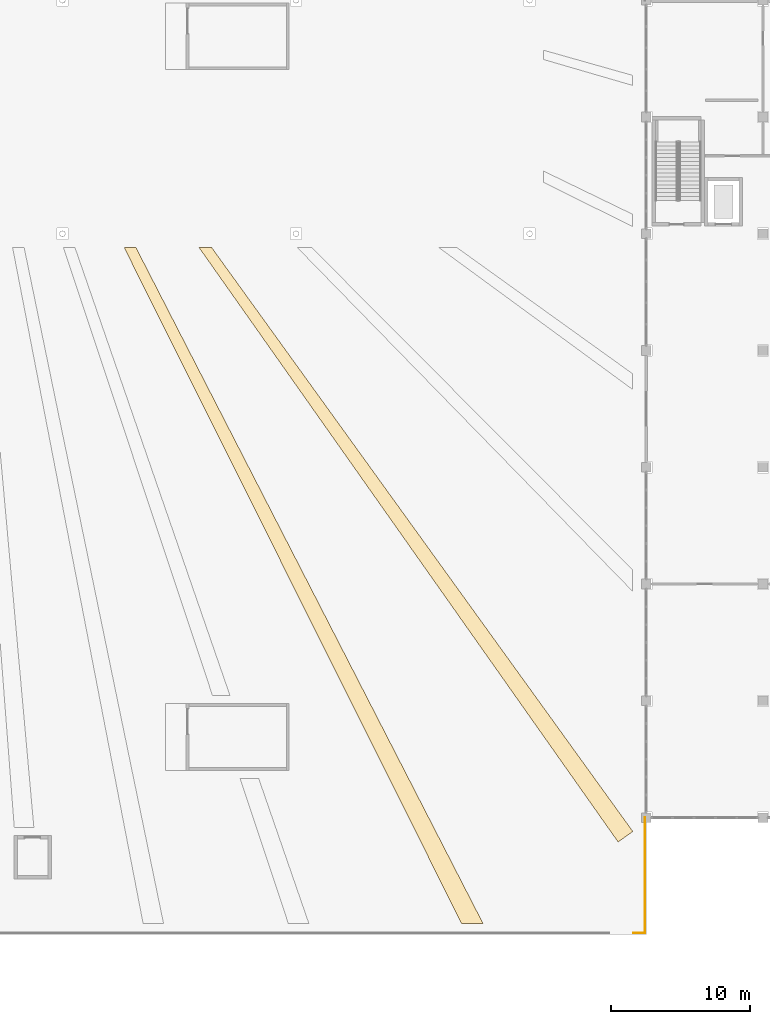
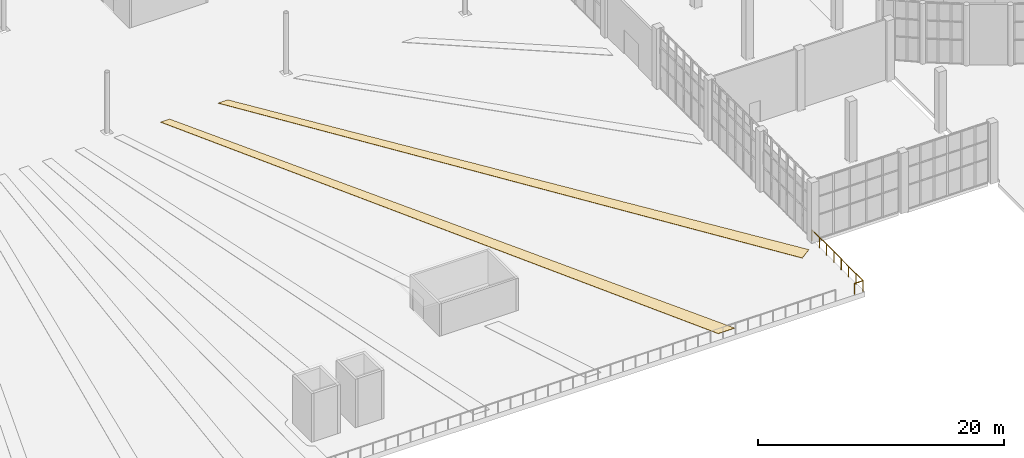
# One storey, part 179 of 210: 2 coverings, 2 railings.
"""IFC4 building model written with IfcOpenShell, lengths in metres."""

from ifc_helpers import new_model, si_unit, direction, frame, origin, origin_2d, place, context, subcontext, project, spatial, polyline, circle, outline, extrude, material, layer, layer_set, type_object, element, save


model = new_model("IFC4")

# Units and contexts
model_context = context("Model", 3, precision=1e-05, world=origin(), true_north=direction((0.0, 1.0)))
body_context = subcontext(model_context, "Body", "Model", "MODEL_VIEW")
ifc_project = project(units=[si_unit("LENGTHUNIT", "METRE"), si_unit("AREAUNIT", "SQUARE_METRE"), si_unit("VOLUMEUNIT", "CUBIC_METRE"), si_unit("PLANEANGLEUNIT", "RADIAN"), si_unit("MASSUNIT", "GRAM", prefix="KILO")], contexts=[model_context])

# Site, building, storey
site_placement = place(None, origin())
site = spatial("IfcSite", under=ifc_project, at=site_placement, CompositionType="ELEMENT")
building_placement = place(site_placement, origin())
building = spatial("IfcBuilding", under=site, at=building_placement, Name="Rain Tree Exposition and Congress Centre", CompositionType="ELEMENT")
storey_placement = place(building_placement, origin())
storey = spatial("IfcBuildingStorey", under=building, at=storey_placement, Name="L00", CompositionType="ELEMENT", Elevation=0.0)

# Coverings
ifc_material_1 = material(Name="Granite paving", Category="masonry")
ifc_layer = layer(ifc_material_1, 0.030029296875)
ifc_layer_set = layer_set([ifc_layer], Name="Granite paving")
covering_type = type_object("IfcCoveringType", Name="Granite paving inlay 30", PredefinedType="FLOORING", material=ifc_layer_set)
covering_1_placement = place(storey_placement, origin())
element("IfcCovering", 1, at=covering_1_placement, inside=storey, type_object=covering_type, Name="Granite paving inlay 17", PredefinedType="FLOORING", context=body_context, shape_type="SweptSolid", body=[
    extrude(outline(polyline([(114.490234375, 49.39990234375), (113.64306640625, 49.39990234375), (137.902099609375, 0.800048828125), (139.446533203125, 0.800048828125), (134.095947265625, 11.219970703125), (114.490234375, 49.39990234375)])), origin(), (0.0, 0.0, 1.0), 0.030029296875),
])
covering_2_placement = place(storey_placement, origin())
element("IfcCovering", 2, at=covering_2_placement, inside=storey, type_object=covering_type, Name="Granite paving inlay 18", PredefinedType="FLOORING", context=body_context, shape_type="SweptSolid", body=[
    extrude(outline(polyline([(119.939697265625, 49.39990234375), (119.030517578125, 49.39990234375), (149.17041015625, 6.64990234375), (150.228759765625, 7.40478515625), (119.939697265625, 49.39990234375)])), origin(), (0.0, 0.0, 1.0), 0.030029296875),
])

# Railings
ifc_material_2 = material(Name="Stainless steel", Category="steel")
railing_type = type_object("IfcRailingType", Name="Guard 1100 stainless", PredefinedType="GUARDRAIL", material=ifc_material_2)
railing_1_placement = place(storey_placement, frame((150.300048828125, 0.10009765625, 0.0)))
element("IfcRailing", 3, at=railing_1_placement, inside=storey, type_object=railing_type, Name="Deck edge guard south-3", PredefinedType="GUARDRAIL", context=body_context, shape_type="SweptSolid", body=[
    extrude(circle(Radius=0.02490234375, at=origin_2d()), frame((0.0, 0.0, 1.0751953125), z_axis=(1.0, 0.0, 0.0), x_axis=(0.0, 1.0, 0.0)), (0.0, 0.0, 1.0), 0.800048828125),
    extrude(circle(Radius=0.02490234375, at=origin_2d()), origin(), (0.0, 0.0, 1.0), 1.050048828125),
    extrude(circle(Radius=0.02490234375, at=origin_2d()), frame((0.800048828125, 0.0, 0.0)), (0.0, 0.0, 1.0), 1.050048828125),
])
railing_2_placement = place(storey_placement, frame((151.10009765625, 0.10009765625, 0.0)))
element("IfcRailing", 4, at=railing_2_placement, inside=storey, type_object=railing_type, Name="Deck edge guard east-1", PredefinedType="GUARDRAIL", context=body_context, shape_type="SweptSolid", body=[
    extrude(circle(Radius=0.02490234375, at=origin_2d()), frame((0.0, 0.0, 1.0751953125), z_axis=(0.0, 1.0, 0.0), x_axis=(-1.0, 0.0, 0.0)), (0.0, 0.0, 1.0), 8.2998046875),
    extrude(circle(Radius=0.02490234375, at=origin_2d()), origin(), (0.0, 0.0, 1.0), 1.050048828125),
    extrude(circle(Radius=0.02490234375, at=origin_2d()), frame((0.0, 1.185791015625, 0.0)), (0.0, 0.0, 1.0), 1.050048828125),
    extrude(circle(Radius=0.02490234375, at=origin_2d()), frame((0.0, 2.371337890625, 0.0)), (0.0, 0.0, 1.0), 1.050048828125),
    extrude(circle(Radius=0.02490234375, at=origin_2d()), frame((0.0, 3.55712890625, 0.0)), (0.0, 0.0, 1.0), 1.050048828125),
    extrude(circle(Radius=0.02490234375, at=origin_2d()), frame((0.0, 4.74267578125, 0.0)), (0.0, 0.0, 1.0), 1.050048828125),
    extrude(circle(Radius=0.02490234375, at=origin_2d()), frame((0.0, 5.928466796875, 0.0)), (0.0, 0.0, 1.0), 1.050048828125),
    extrude(circle(Radius=0.02490234375, at=origin_2d()), frame((0.0, 7.114013671875, 0.0)), (0.0, 0.0, 1.0), 1.050048828125),
    extrude(circle(Radius=0.02490234375, at=origin_2d()), frame((0.0, 8.2998046875, 0.0)), (0.0, 0.0, 1.0), 1.050048828125),
])

save(model, "model.ifc")
